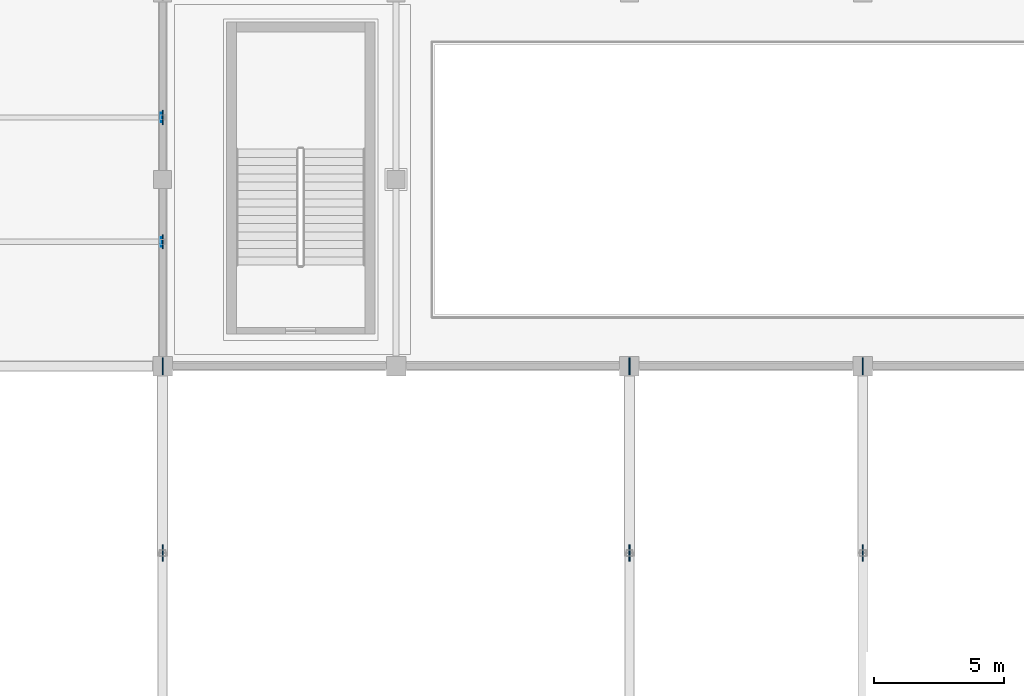
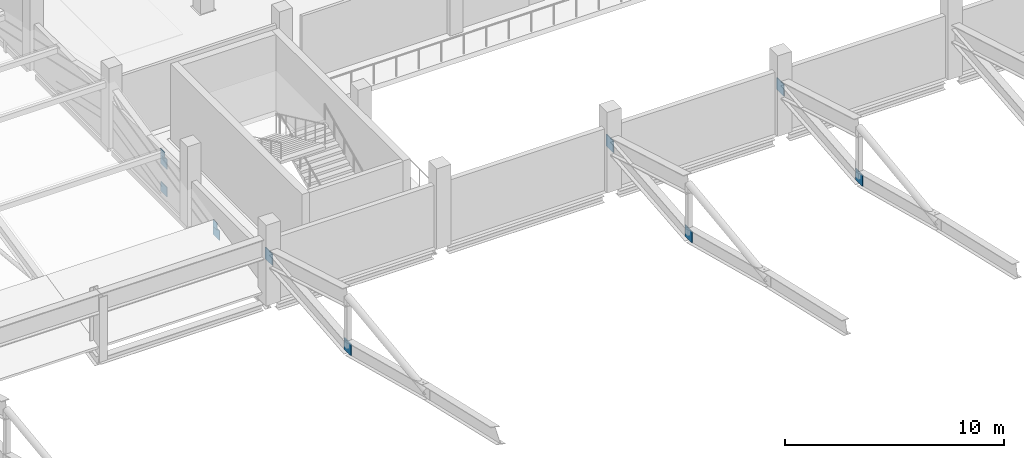
# One storey, part 98 of 151: 11 plates.
"""IFC4 building model written with IfcOpenShell, lengths in metres."""

from ifc_helpers import new_model, si_unit, direction, frame, origin, origin_2d, place, context, subcontext, project, spatial, rectangle, extrude, material, layer, layer_set, type_object, element, save


model = new_model("IFC4")

# Units and contexts
model_context = context("Model", 3, precision=1e-05, world=origin(), true_north=direction((0.0, 1.0)))
body_context = subcontext(model_context, "Body", "Model", "MODEL_VIEW")
ifc_project = project(units=[si_unit("LENGTHUNIT", "METRE"), si_unit("AREAUNIT", "SQUARE_METRE"), si_unit("VOLUMEUNIT", "CUBIC_METRE"), si_unit("PLANEANGLEUNIT", "RADIAN"), si_unit("MASSUNIT", "GRAM", prefix="KILO")], contexts=[model_context])

# Site, building, storey
site_placement = place(None, origin())
site = spatial("IfcSite", under=ifc_project, at=site_placement, CompositionType="ELEMENT")
building_placement = place(site_placement, origin())
building = spatial("IfcBuilding", under=site, at=building_placement, Name="Celestram Park Convention Centre", CompositionType="ELEMENT")
storey_placement = place(building_placement, frame((0.0, 0.0, 10.800048828125)))
storey = spatial("IfcBuildingStorey", under=building, at=storey_placement, Name="L02", CompositionType="ELEMENT", Elevation=10.800048828125)

# Plates
ifc_material = material(Name="Steel ASTM A572 Grade 50", Category="steel")
ifc_layer_1 = layer(ifc_material, 0.02490234375)
ifc_layer_set_1 = layer_set([ifc_layer_1], Name="Steel ASTM A572 Grade 50")
plate_type_1 = type_object("IfcPlateType", Name="STR-PLT-EC350", PredefinedType="USERDEFINED", material=ifc_layer_set_1)
for number, where, z_axis, x_axis, name in (
    (1, (35.931884765625, 112.800048828125, 1.106689453125), (0.0, 0.0, 1.0), (0.0, 1.0, 0.0), "HSS purlin end closure cap plate EC-L02-182"),
    (2, (35.931884765625, 117.60009765625, 2.173095703125), (0.0, 0.0, 1.0), (0.0, 1.0, 0.0), "HSS purlin end closure cap plate EC-L02-183"),
):
    element("IfcPlate", number, at=place(storey_placement, frame(where, z_axis=z_axis, x_axis=x_axis)), inside=storey, type_object=plate_type_1, Name=name, ObjectType="GUSSET_PLATE", PredefinedType="USERDEFINED", context=body_context, shape_type="SweptSolid", body=[
        extrude(rectangle(XDim=0.3701171875, YDim=0.02490234375, at=origin_2d()), origin(), (0.0, 0.0, 1.0), 0.3701171875),
    ])
ifc_layer_2 = layer(ifc_material, 0.0400390625)
ifc_layer_set_2 = layer_set([ifc_layer_2], Name="Steel ASTM A572 Grade 50")
plate_type_2 = type_object("IfcPlateType", Name="STR-PLT-GP40", PredefinedType="USERDEFINED", material=ifc_layer_set_2)
for number, where, z_axis, x_axis, name in (
    (3, (36.0, 112.800048828125, 0.5556640625), (0.0, 0.0, 1.0), (0.0, 1.0, 0.0), "WPV truss node gusset plate"),
    (4, (36.0, 117.60009765625, 1.6220703125), (0.0, 0.0, 1.0), (0.0, 1.0, 0.0), "WPV truss node gusset plate"),
    (5, (36.0, 117.60009765625, 0.072265625), (0.0, 0.0, 1.0), (0.0, 1.0, 0.0), "WPV truss node gusset plate"),
):
    element("IfcPlate", number, at=place(storey_placement, frame(where, z_axis=z_axis, x_axis=x_axis)), inside=storey, type_object=plate_type_2, Name=name, ObjectType="GUSSET_PLATE", PredefinedType="USERDEFINED", context=body_context, shape_type="SweptSolid", body=[
        extrude(rectangle(XDim=0.550048828125, YDim=0.0400390625, at=origin_2d()), origin(), (0.0, 0.0, 1.0), 0.550048828125),
    ])
ifc_layer_3 = layer(ifc_material, 0.050048828125)
ifc_layer_set_3 = layer_set([ifc_layer_3], Name="Steel ASTM A572 Grade 50")
plate_type_3 = type_object("IfcPlateType", Name="STR-PLT-GP50", PredefinedType="USERDEFINED", material=ifc_layer_set_3)
for number, where, z_axis, x_axis, name in (
    (6, (36.0, 100.800048828125, 1.411865234375), (0.0, 0.0, 1.0), (0.0, 1.0, 0.0), "V1 truss node gusset plate"),
    (7, (36.0, 108.0, 2.103515625), (0.0, 0.0, 1.0), (0.0, 1.0, 0.0), "V1 truss node gusset plate"),
    (8, (54.0, 100.800048828125, 1.411865234375), (0.0, 0.0, 1.0), (0.0, 1.0, 0.0), "V1 truss node gusset plate"),
    (9, (54.0, 108.0, 2.103515625), (0.0, 0.0, 1.0), (0.0, 1.0, 0.0), "V1 truss node gusset plate"),
    (10, (63.0, 100.800048828125, 1.411865234375), (0.0, 0.0, 1.0), (0.0, 1.0, 0.0), "V1 truss node gusset plate"),
    (11, (63.0, 108.0, 2.103515625), (0.0, 0.0, 1.0), (0.0, 1.0, 0.0), "V1 truss node gusset plate"),
):
    element("IfcPlate", number, at=place(storey_placement, frame(where, z_axis=z_axis, x_axis=x_axis)), inside=storey, type_object=plate_type_3, Name=name, ObjectType="GUSSET_PLATE", PredefinedType="USERDEFINED", context=body_context, shape_type="SweptSolid", body=[
        extrude(rectangle(XDim=0.64990234375, YDim=0.050048828125, at=origin_2d()), origin(), (0.0, 0.0, 1.0), 0.64990234375),
    ])

save(model, "model.ifc")
